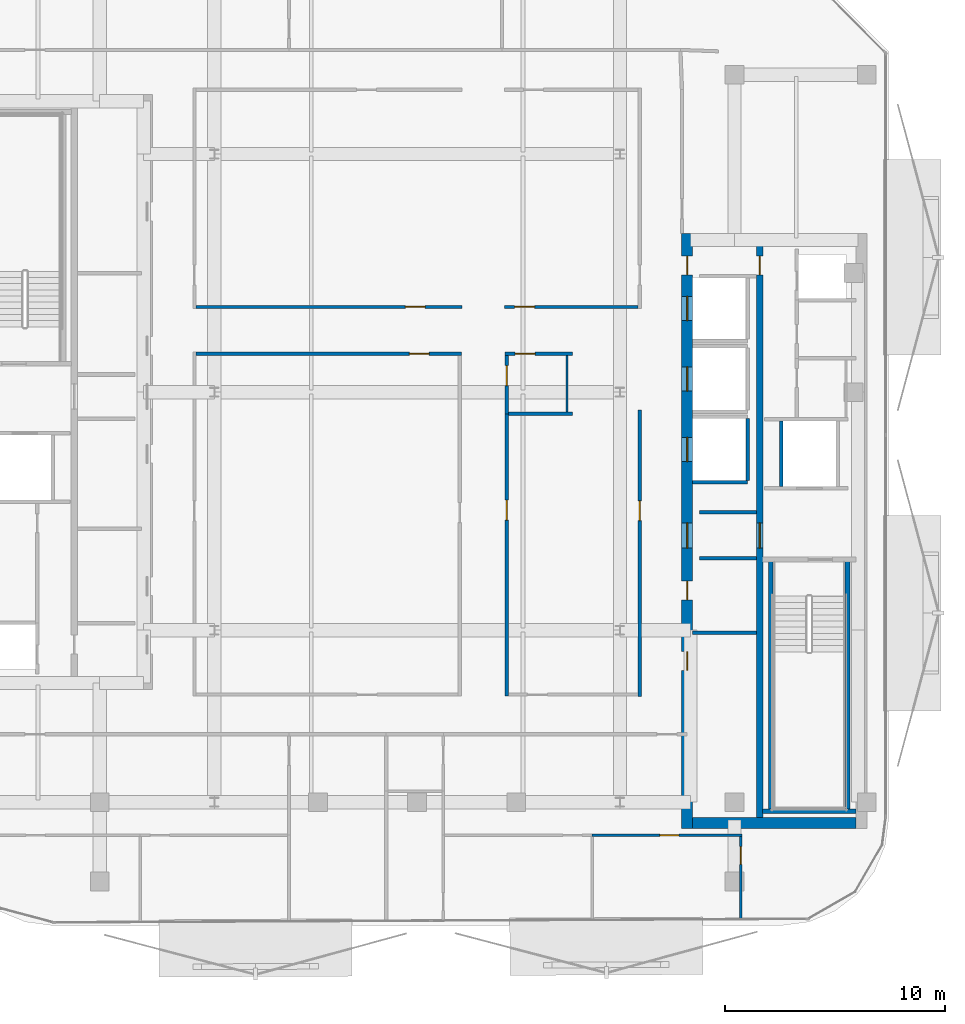
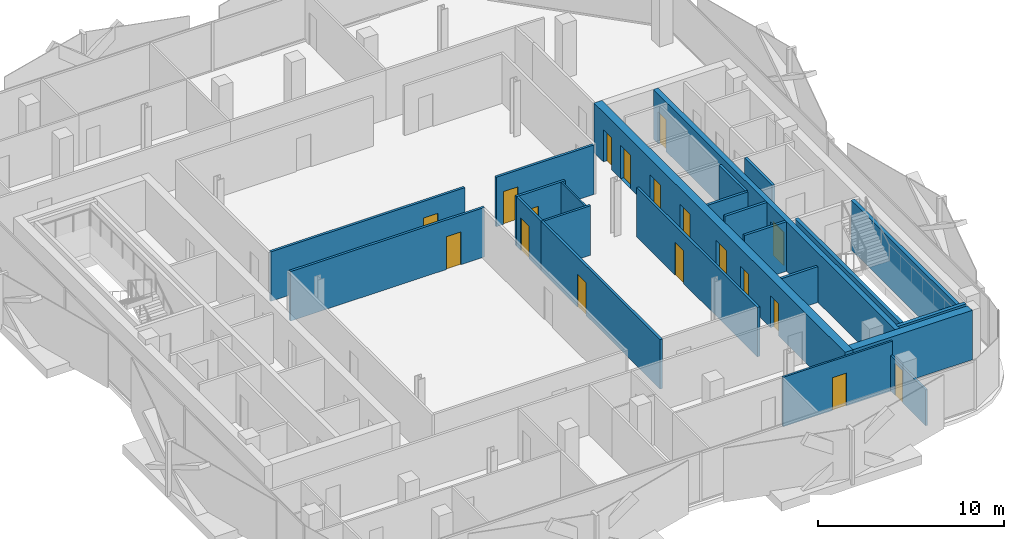
# One storey, part 4 of 15: 23 walls, 18 doors, 18 openings.
"""IFC4 building model written with IfcOpenShell, lengths in metres."""

from ifc_helpers import new_model, si_unit, direction, frame, frame_2d, origin, place, context, subcontext, project, spatial, rectangle, extrude, material, layer, layer_set, type_object, element, fill, save


model = new_model("IFC4")

# Units and contexts
model_context = context("Model", 3, precision=1e-05, world=origin(), true_north=direction((0.0, 1.0)))
body_context = subcontext(model_context, "Body", "Model", "MODEL_VIEW")
ifc_project = project(units=[si_unit("LENGTHUNIT", "METRE"), si_unit("AREAUNIT", "SQUARE_METRE"), si_unit("VOLUMEUNIT", "CUBIC_METRE"), si_unit("PLANEANGLEUNIT", "RADIAN"), si_unit("MASSUNIT", "GRAM", prefix="KILO")], contexts=[model_context])

# Site, building, storey
site_placement = place(None, origin())
site = spatial("IfcSite", under=ifc_project, at=site_placement, CompositionType="ELEMENT")
building_placement = place(site_placement, origin())
building = spatial("IfcBuilding", under=site, at=building_placement, Name="Khairoan Windgate Tower", CompositionType="ELEMENT")
storey_placement = place(building_placement, frame((0.0, 0.0, 269.199951171875)))
storey = spatial("IfcBuildingStorey", under=building, at=storey_placement, Name="L64", CompositionType="ELEMENT", Elevation=269.199951171875)

# Walls
ifc_material_1 = material(Name="Moisture-Resistant Gypsum Partition", Category="gypsum")
ifc_layer_1 = layer(ifc_material_1, 0.10009765625, Name="Moisture-Resistant Gypsum Partition")
ifc_layer_set_1 = layer_set([ifc_layer_1], Name="Moisture-Resistant Gypsum Partition")
wall_type_1 = type_object("IfcWallType", Name="Bathroom Wet-Area Partition Wall", PredefinedType="PARTITIONING", material=ifc_layer_set_1)
wall_1_placement = place(storey_placement, frame((6.800048828125, 1.659912109375, 0.0), z_axis=(0.0, 0.0, 1.0), x_axis=(0.0, -1.0, 0.0)))
element("IfcWall", 1, at=wall_1_placement, inside=storey, type_object=wall_type_1, Name="L64 Wet Room Side Wall 068", PredefinedType="PARTITIONING", context=body_context, shape_type="SweptSolid", body=[
    extrude(rectangle(XDim=2.56982421875, YDim=0.10009765625, at=frame_2d((1.284912109375, 0.0))), origin(), (0.0, 0.0, 1.0), 3.25),
])
ifc_material_2 = material(Name="Concrete C40/50", Category="concrete")
ifc_layer_2 = layer(ifc_material_2, 0.159912109375, Name="Concrete C40/50")
ifc_layer_set_2 = layer_set([ifc_layer_2], Name="Concrete C40/50")
wall_type_2 = type_object("IfcWallType", Name="Core and Hoistway Enclosure Wall", PredefinedType="STANDARD", material=ifc_layer_set_2)
wall_2_placement = place(storey_placement, frame((12.5, -4.090087890625, 0.0), z_axis=(0.0, 0.0, 1.0), x_axis=(1.0, 0.0, 0.0)))
element("IfcWall", 2, at=wall_2_placement, inside=storey, type_object=wall_type_2, Name="L64 Lift PL9 Hoistway Divider S", PredefinedType="STANDARD", context=body_context, shape_type="SweptSolid", body=[
    extrude(rectangle(XDim=2.489990234375, YDim=0.159912109375, at=frame_2d((1.2451171875, 0.0))), origin(), (0.0, 0.0, 1.0), 3.25),
])
wall_3_placement = place(storey_placement, frame((14.989990234375, -4.0, 0.0), z_axis=(0.0, 0.0, 1.0), x_axis=(0.0, 1.0, 0.0)))
element("IfcWall", 3, at=wall_3_placement, inside=storey, type_object=wall_type_2, Name="L64 Lift PL9 Hoistway Back Wall", PredefinedType="STANDARD", context=body_context, shape_type="SweptSolid", body=[
    extrude(rectangle(XDim=2.800048828125, YDim=0.159912109375, at=frame_2d((1.39990234375, 0.0))), origin(), (0.0, 0.0, 1.0), 3.25),
])
wall_4_placement = place(storey_placement, frame((16.52001953125, -4.280029296875, 0.0), z_axis=(0.0, 0.0, 1.0), x_axis=(0.0, 1.0, 0.0)))
element("IfcWall", 4, at=wall_4_placement, inside=storey, type_object=wall_type_2, Name="L64 Core Shaft Wall SW-FL1W-L64", PredefinedType="STANDARD", context=body_context, shape_type="SweptSolid", body=[
    extrude(rectangle(XDim=2.97998046875, YDim=0.159912109375, at=frame_2d((1.489990234375, 0.0))), origin(), (0.0, 0.0, 1.0), 3.25),
])
for number, where, z_axis, x_axis, name in (
    (5, (12.800048828125, -5.449951171875, 0.0), (0.0, 0.0, 1.0), (1.0, 0.0, 0.0), "L64 Core Shaft Wall SW-EV1-L64"),
    (6, (12.800048828125, -7.5400390625, 0.0), (0.0, 0.0, 1.0), (1.0, 0.0, 0.0), "L64 Core Shaft Wall SW-EV2-L64"),
):
    element("IfcWall", number, at=place(storey_placement, frame(where, z_axis=z_axis, x_axis=x_axis)), inside=storey, type_object=wall_type_2, Name=name, PredefinedType="STANDARD", context=body_context, shape_type="SweptSolid", body=[
        extrude(rectangle(XDim=2.599853515625, YDim=0.159912109375, at=frame_2d((1.2998046875, 0.0))), origin(), (0.0, 0.0, 1.0), 3.25),
    ])
ifc_material_3 = material(Name="Acoustic Fire-Rated Gypsum Partition", Category="gypsum")
ifc_layer_3 = layer(ifc_material_3, 0.139892578125, Name="Acoustic Fire-Rated Gypsum Partition")
ifc_layer_set_3 = layer_set([ifc_layer_3], Name="Acoustic Fire-Rated Gypsum Partition")
wall_type_3 = type_object("IfcWallType", Name="Inter-Tenancy Compartment Wall", PredefinedType="PARTITIONING", material=ifc_layer_set_3)
wall_5_placement = place(storey_placement, frame((4.139892578125, -0.97998046875, 0.0), z_axis=(0.0, 0.0, 1.0), x_axis=(1.0, 0.0, 0.0)))
element("IfcWall", 7, at=wall_5_placement, inside=storey, type_object=wall_type_3, Name="L64 Interior Partition 066", PredefinedType="PARTITIONING", context=body_context, shape_type="SweptSolid", body=[
    extrude(rectangle(XDim=2.900146484375, YDim=0.139892578125, at=frame_2d((1.4501953125, 0.0))), origin(), (0.0, 0.0, 1.0), 3.25),
])

# Wall, opening, door
ifc_material_4 = material(Name="Gypsum Stud Partition", Category="gypsum")
ifc_layer_4 = layer(ifc_material_4, 0.1201171875, Name="Gypsum Stud Partition")
ifc_layer_set_4 = layer_set([ifc_layer_4], Name="Gypsum Stud Partition")
wall_type_4 = type_object("IfcWallType", Name="Internal Room Partition Wall", PredefinedType="PARTITIONING", material=ifc_layer_set_4)
wall_6_placement = place(storey_placement, frame((7.93994140625, -20.10009765625, 0.0), z_axis=(0.0, 0.0, 1.0), x_axis=(1.0, 0.0, 0.0)))
wall_6 = element("IfcWall", 8, at=wall_6_placement, inside=storey, type_object=wall_type_4, Name="L64 Interior Partition 063", PredefinedType="PARTITIONING", context=body_context, shape_type="SweptSolid", body=[
    extrude(rectangle(XDim=6.81005859375, YDim=0.1201171875, at=frame_2d((3.405029296875, 0.0))), origin(), (0.0, 0.0, 1.0), 3.25),
])
opening_1_placement = place(wall_6_placement, frame((3.07568359375, 0.0, 0.0)))
opening_1 = element("IfcOpeningElement", 9, at=opening_1_placement, cuts=wall_6, Name="Opening ID-RM", PredefinedType="OPENING", context=body_context, shape_type="SweptSolid", body=[
    extrude(rectangle(XDim=0.860107421875, YDim=2.14990234375, at=frame_2d((0.43017578125, 1.074951171875))), frame((0.0, 0.070068359375, 0.0), z_axis=(0.0, -1.0, 0.0), x_axis=(1.0, 0.0, 0.0)), (0.0, 0.0, 1.0), 0.14013671875),
])
ifc_material_5 = material(Name="Teak Veneer Timber Leaf", Category="wood")
door_type_1 = type_object("IfcDoorType", Name="Internal Bedroom and Office Door ID-RM 860x2150", OperationType="NOTDEFINED", PredefinedType="DOOR", material=ifc_material_5)
door_1_placement = place(opening_1_placement, origin())
door_1 = element("IfcDoor", 10, at=door_1_placement, inside=storey, type_object=door_type_1, Name="L64 L64-48-L64-51 Door", OperationType="SINGLE_SWING_RIGHT", OverallHeight=2.14990234375, OverallWidth=0.860107421875, PredefinedType="DOOR", context=body_context, shape_type="SweptSolid", body=[
    extrude(rectangle(XDim=0.860107421875, YDim=2.14990234375, at=frame_2d((0.43017578125, 1.074951171875))), frame((0.0, 0.02490234375, 0.0), z_axis=(0.0, -1.0, 0.0), x_axis=(1.0, 0.0, 0.0)), (0.0, 0.0, 1.0), 0.050048828125),
])
fill(opening_1, door_1)

wall_7_placement = place(storey_placement, frame((14.68994140625, -23.906005859375, 0.0), z_axis=(0.0, 0.0, 1.0), x_axis=(0.0, 1.0, 0.0)))
wall_7 = element("IfcWall", 11, at=wall_7_placement, inside=storey, type_object=wall_type_4, Name="L64 Interior Partition 064", PredefinedType="PARTITIONING", context=body_context, shape_type="SweptSolid", body=[
    extrude(rectangle(XDim=3.74609375, YDim=0.1201171875, at=frame_2d((1.873046875, 0.0))), origin(), (0.0, 0.0, 1.0), 2.35009765625),
])
opening_2_placement = place(wall_7_placement, frame((2.486083984375, 0.0, 0.0)))
opening_2 = element("IfcOpeningElement", 12, at=opening_2_placement, cuts=wall_7, Name="Opening ID-BTH", PredefinedType="OPENING", context=body_context, shape_type="SweptSolid", body=[
    extrude(rectangle(XDim=0.800048828125, YDim=2.10009765625, at=frame_2d((0.39990234375, 1.050048828125))), frame((0.0, 0.070068359375, 0.0), z_axis=(0.0, -1.0, 0.0), x_axis=(1.0, 0.0, 0.0)), (0.0, 0.0, 1.0), 0.14013671875),
])
ifc_material_6 = material(Name="Teak Veneer Timber Leaf", Category="wood")
door_type_2 = type_object("IfcDoorType", Name="Internal Bathroom Door ID-BTH 800x2100", OperationType="NOTDEFINED", PredefinedType="DOOR", material=ifc_material_6)
door_2_placement = place(opening_2_placement, origin())
door_2 = element("IfcDoor", 13, at=door_2_placement, inside=storey, type_object=door_type_2, Name="L64 L64-49-L64-51 Door", OperationType="SINGLE_SWING_LEFT", OverallHeight=2.10009765625, OverallWidth=0.800048828125, PredefinedType="DOOR", context=body_context, shape_type="SweptSolid", body=[
    extrude(rectangle(XDim=0.800048828125, YDim=2.10009765625, at=frame_2d((0.39990234375, 1.050048828125))), frame((0.0, 0.02490234375, 0.0), z_axis=(0.0, -1.0, 0.0), x_axis=(1.0, 0.0, 0.0)), (0.0, 0.0, 1.0), 0.050048828125),
])
fill(opening_2, door_2)

# Wall
ifc_material_7 = material(Name="Concrete C40/50", Category="concrete")
ifc_layer_5 = layer(ifc_material_7, 0.159912109375, Name="Concrete C40/50")
ifc_layer_set_5 = layer_set([ifc_layer_5], Name="Concrete C40/50")
wall_type_5 = type_object("IfcWallType", Name="Plant and Refuge Compartment Wall", PredefinedType="PARTITIONING", material=ifc_layer_set_5)
wall_8_placement = place(storey_placement, frame((12.5, -10.919921875, 0.0), z_axis=(0.0, 0.0, 1.0), x_axis=(1.0, 0.0, 0.0)))
element("IfcWall", 14, at=wall_8_placement, inside=storey, type_object=wall_type_5, Name="L64 Interior Partition 011", PredefinedType="PARTITIONING", context=body_context, shape_type="SweptSolid", body=[
    extrude(rectangle(XDim=2.89990234375, YDim=0.159912109375, at=frame_2d((1.449951171875, 0.0))), origin(), (0.0, 0.0, 1.0), 2.35009765625),
])

# Wall, opening, door
ifc_material_8 = material(Name="Acoustic Fire-Rated Gypsum Partition", Category="gypsum")
ifc_layer_6 = layer(ifc_material_8, 0.14990234375, Name="Acoustic Fire-Rated Gypsum Partition")
ifc_layer_set_6 = layer_set([ifc_layer_6], Name="Acoustic Fire-Rated Gypsum Partition")
wall_type_6 = type_object("IfcWallType", Name="Rated Corridor Partition Wall", PredefinedType="PARTITIONING", material=ifc_layer_set_6)
wall_9_placement = place(storey_placement, frame((10.10009765625, -13.794921875, 0.0), z_axis=(0.0, 0.0, 1.0), x_axis=(0.0, 1.0, 0.0)))
wall_9 = element("IfcWall", 15, at=wall_9_placement, inside=storey, type_object=wall_type_6, Name="L64 Interior Partition 016", PredefinedType="PARTITIONING", context=body_context, shape_type="SweptSolid", body=[
    extrude(rectangle(XDim=12.974853515625, YDim=0.14990234375, at=frame_2d((6.4873046875, 0.0))), origin(), (0.0, 0.0, 1.0), 3.25),
])
opening_3_placement = place(wall_9_placement, frame((7.96435546875, 0.0, 0.0)))
opening_3 = element("IfcOpeningElement", 16, at=opening_3_placement, cuts=wall_9, Name="Opening FD-ENT", PredefinedType="OPENING", context=body_context, shape_type="SweptSolid", body=[
    extrude(rectangle(XDim=0.89990234375, YDim=2.14990234375, at=frame_2d((0.449951171875, 1.074951171875))), frame((0.0, 0.0849609375, 0.0), z_axis=(0.0, -1.0, 0.0), x_axis=(1.0, 0.0, 0.0)), (0.0, 0.0, 1.0), 0.169921875),
])
ifc_material_9 = material(Name="Timber Fire-Rated Core", Category="wood")
door_type_3 = type_object("IfcDoorType", Name="Unit and Office Fire Entrance Door FD-ENT 900x2150", OperationType="NOTDEFINED", PredefinedType="DOOR", material=ifc_material_9)
door_3_placement = place(opening_3_placement, origin())
door_3 = element("IfcDoor", 17, at=door_3_placement, inside=storey, type_object=door_type_3, Name="L64 L64-28-L64-57 Door", OperationType="SINGLE_SWING_LEFT", OverallHeight=2.14990234375, OverallWidth=0.89990234375, PredefinedType="DOOR", context=body_context, shape_type="SweptSolid", body=[
    extrude(rectangle(XDim=0.89990234375, YDim=2.14990234375, at=frame_2d((0.449951171875, 1.074951171875))), frame((0.0, 0.02490234375, 0.0), z_axis=(0.0, -1.0, 0.0), x_axis=(1.0, 0.0, 0.0)), (0.0, 0.0, 1.0), 0.050048828125),
])
fill(opening_3, door_3)

wall_10_placement = place(storey_placement, frame((-10.02490234375, 3.864990234375, 0.0), z_axis=(0.0, 0.0, 1.0), x_axis=(1.0, 0.0, 0.0)))
wall_10 = element("IfcWall", 18, at=wall_10_placement, inside=storey, type_object=wall_type_6, Name="L64 Interior Partition 017", PredefinedType="PARTITIONING", context=body_context, shape_type="SweptSolid", body=[
    extrude(rectangle(XDim=12.054931640625, YDim=0.14990234375, at=frame_2d((6.02734375, 0.0))), origin(), (0.0, 0.0, 1.0), 3.25),
])
opening_4_placement = place(wall_10_placement, frame((9.490966796875, 0.0, 0.0)))
opening_4 = element("IfcOpeningElement", 19, at=opening_4_placement, cuts=wall_10, Name="Opening FD-ENT", PredefinedType="OPENING", context=body_context, shape_type="SweptSolid", body=[
    extrude(rectangle(XDim=0.89990234375, YDim=2.14990234375, at=frame_2d((0.449951171875, 1.074951171875))), frame((0.0, 0.0849609375, 0.0), z_axis=(0.0, -1.0, 0.0), x_axis=(1.0, 0.0, 0.0)), (0.0, 0.0, 1.0), 0.169921875),
])
door_4_placement = place(opening_4_placement, origin())
door_4 = element("IfcDoor", 20, at=door_4_placement, inside=storey, type_object=door_type_3, Name="L64 L64-29-L64-53 Door", OperationType="SINGLE_SWING_RIGHT", OverallHeight=2.14990234375, OverallWidth=0.89990234375, PredefinedType="DOOR", context=body_context, shape_type="SweptSolid", body=[
    extrude(rectangle(XDim=0.89990234375, YDim=2.14990234375, at=frame_2d((0.449951171875, 1.074951171875))), frame((0.0, 0.02490234375, 0.0), z_axis=(0.0, -1.0, 0.0), x_axis=(1.0, 0.0, 0.0)), (0.0, 0.0, 1.0), 0.050048828125),
])
fill(opening_4, door_4)

wall_11_placement = place(storey_placement, frame((-10.02490234375, 1.735107421875, 0.0), z_axis=(0.0, 0.0, 1.0), x_axis=(1.0, 0.0, 0.0)))
wall_11 = element("IfcWall", 21, at=wall_11_placement, inside=storey, type_object=wall_type_6, Name="L64 Interior Partition 018", PredefinedType="PARTITIONING", context=body_context, shape_type="SweptSolid", body=[
    extrude(rectangle(XDim=12.034912109375, YDim=0.14990234375, at=frame_2d((6.017578125, 0.0))), origin(), (0.0, 0.0, 1.0), 3.25),
])
opening_5_placement = place(wall_11_placement, frame((9.673583984375, 0.0, 0.0)))
opening_5 = element("IfcOpeningElement", 22, at=opening_5_placement, cuts=wall_11, Name="Opening FD-ENT", PredefinedType="OPENING", context=body_context, shape_type="SweptSolid", body=[
    extrude(rectangle(XDim=0.89990234375, YDim=2.14990234375, at=frame_2d((0.449951171875, 1.074951171875))), frame((0.0, 0.0849609375, 0.0), z_axis=(0.0, -1.0, 0.0), x_axis=(1.0, 0.0, 0.0)), (0.0, 0.0, 1.0), 0.169921875),
])
door_5_placement = place(opening_5_placement, origin())
door_5 = element("IfcDoor", 23, at=door_5_placement, inside=storey, type_object=door_type_3, Name="L64 L64-29-L64-54 Door", OperationType="SINGLE_SWING_LEFT", OverallHeight=2.14990234375, OverallWidth=0.89990234375, PredefinedType="DOOR", context=body_context, shape_type="SweptSolid", body=[
    extrude(rectangle(XDim=0.89990234375, YDim=2.14990234375, at=frame_2d((0.449951171875, 1.074951171875))), frame((0.0, 0.02490234375, 0.0), z_axis=(0.0, -1.0, 0.0), x_axis=(1.0, 0.0, 0.0)), (0.0, 0.0, 1.0), 0.050048828125),
])
fill(opening_5, door_5)

wall_12_placement = place(storey_placement, frame((3.969970703125, 3.864990234375, 0.0), z_axis=(0.0, 0.0, 1.0), x_axis=(1.0, 0.0, 0.0)))
wall_12 = element("IfcWall", 24, at=wall_12_placement, inside=storey, type_object=wall_type_6, Name="L64 Interior Partition 019", PredefinedType="PARTITIONING", context=body_context, shape_type="SweptSolid", body=[
    extrude(rectangle(XDim=6.054931640625, YDim=0.14990234375, at=frame_2d((3.02734375, 0.0))), origin(), (0.0, 0.0, 1.0), 3.25),
])
opening_6_placement = place(wall_12_placement, frame((0.4599609375, 0.0, 0.0)))
opening_6 = element("IfcOpeningElement", 25, at=opening_6_placement, cuts=wall_12, Name="Opening FD-ENT", PredefinedType="OPENING", context=body_context, shape_type="SweptSolid", body=[
    extrude(rectangle(XDim=0.89990234375, YDim=2.14990234375, at=frame_2d((0.449951171875, 1.074951171875))), frame((0.0, 0.0849609375, 0.0), z_axis=(0.0, -1.0, 0.0), x_axis=(1.0, 0.0, 0.0)), (0.0, 0.0, 1.0), 0.169921875),
])
door_6_placement = place(opening_6_placement, origin())
door_6 = element("IfcDoor", 26, at=door_6_placement, inside=storey, type_object=door_type_3, Name="L64 L64-29-L64-55 Door", OperationType="SINGLE_SWING_RIGHT", OverallHeight=2.14990234375, OverallWidth=0.89990234375, PredefinedType="DOOR", context=body_context, shape_type="SweptSolid", body=[
    extrude(rectangle(XDim=0.89990234375, YDim=2.14990234375, at=frame_2d((0.449951171875, 1.074951171875))), frame((0.0, 0.02490234375, 0.0), z_axis=(0.0, -1.0, 0.0), x_axis=(1.0, 0.0, 0.0)), (0.0, 0.0, 1.0), 0.050048828125),
])
fill(opening_6, door_6)

wall_13_placement = place(storey_placement, frame((3.989990234375, 1.735107421875, 0.0), z_axis=(0.0, 0.0, 1.0), x_axis=(1.0, 0.0, 0.0)))
wall_13 = element("IfcWall", 27, at=wall_13_placement, inside=storey, type_object=wall_type_6, Name="L64 Interior Partition 020", PredefinedType="PARTITIONING", context=body_context, shape_type="SweptSolid", body=[
    extrude(rectangle(XDim=3.050048828125, YDim=0.14990234375, at=frame_2d((1.52490234375, 0.0))), origin(), (0.0, 0.0, 1.0), 3.25),
])
opening_7_placement = place(wall_13_placement, frame((0.4599609375, 0.0, 0.0)))
opening_7 = element("IfcOpeningElement", 28, at=opening_7_placement, cuts=wall_13, Name="Opening FD-ENT", PredefinedType="OPENING", context=body_context, shape_type="SweptSolid", body=[
    extrude(rectangle(XDim=0.89990234375, YDim=2.14990234375, at=frame_2d((0.449951171875, 1.074951171875))), frame((0.0, 0.0849609375, 0.0), z_axis=(0.0, -1.0, 0.0), x_axis=(1.0, 0.0, 0.0)), (0.0, 0.0, 1.0), 0.169921875),
])
door_7_placement = place(opening_7_placement, origin())
door_7 = element("IfcDoor", 29, at=door_7_placement, inside=storey, type_object=door_type_3, Name="L64 L64-29-L64-56 Door", OperationType="SINGLE_SWING_LEFT", OverallHeight=2.14990234375, OverallWidth=0.89990234375, PredefinedType="DOOR", context=body_context, shape_type="SweptSolid", body=[
    extrude(rectangle(XDim=0.89990234375, YDim=2.14990234375, at=frame_2d((0.449951171875, 1.074951171875))), frame((0.0, 0.02490234375, 0.0), z_axis=(0.0, -1.0, 0.0), x_axis=(1.0, 0.0, 0.0)), (0.0, 0.0, 1.0), 0.050048828125),
])
fill(opening_7, door_7)

wall_14_placement = place(storey_placement, frame((4.06494140625, -0.97998046875, 0.0), z_axis=(0.0, 0.0, 1.0), x_axis=(0.0, 1.0, 0.0)))
wall_14 = element("IfcWall", 30, at=wall_14_placement, inside=storey, type_object=wall_type_6, Name="L64 Interior Partition 022", PredefinedType="PARTITIONING", context=body_context, shape_type="SweptSolid", body=[
    extrude(rectangle(XDim=2.639892578125, YDim=0.14990234375, at=frame_2d((1.31982421875, 0.0))), origin(), (0.0, 0.0, 1.0), 3.25),
])
opening_8_placement = place(wall_14_placement, frame((1.280029296875, 0.0, 0.0)))
opening_8 = element("IfcOpeningElement", 31, at=opening_8_placement, cuts=wall_14, Name="Opening FD-ENT", PredefinedType="OPENING", context=body_context, shape_type="SweptSolid", body=[
    extrude(rectangle(XDim=0.89990234375, YDim=2.14990234375, at=frame_2d((0.449951171875, 1.074951171875))), frame((0.0, 0.0849609375, 0.0), z_axis=(0.0, -1.0, 0.0), x_axis=(1.0, 0.0, 0.0)), (0.0, 0.0, 1.0), 0.169921875),
])
door_8_placement = place(opening_8_placement, origin())
door_8 = element("IfcDoor", 32, at=door_8_placement, inside=storey, type_object=door_type_3, Name="L64 L64-30-L64-56 Door", OperationType="SINGLE_SWING_LEFT", OverallHeight=2.14990234375, OverallWidth=0.89990234375, PredefinedType="DOOR", context=body_context, shape_type="SweptSolid", body=[
    extrude(rectangle(XDim=0.89990234375, YDim=2.14990234375, at=frame_2d((0.449951171875, 1.074951171875))), frame((0.0, 0.02490234375, 0.0), z_axis=(0.0, -1.0, 0.0), x_axis=(1.0, 0.0, 0.0)), (0.0, 0.0, 1.0), 0.050048828125),
])
fill(opening_8, door_8)

wall_15_placement = place(storey_placement, frame((4.06494140625, -13.794921875, 0.0), z_axis=(0.0, 0.0, 1.0), x_axis=(0.0, 1.0, 0.0)))
wall_15 = element("IfcWall", 33, at=wall_15_placement, inside=storey, type_object=wall_type_6, Name="L64 Interior Partition 023", PredefinedType="PARTITIONING", context=body_context, shape_type="SweptSolid", body=[
    extrude(rectangle(XDim=12.81494140625, YDim=0.14990234375, at=frame_2d((6.407470703125, 0.0))), origin(), (0.0, 0.0, 1.0), 3.25),
])
opening_9_placement = place(wall_15_placement, frame((7.99365234375, 0.0, 0.0)))
opening_9 = element("IfcOpeningElement", 34, at=opening_9_placement, cuts=wall_15, Name="Opening FD-ENT", PredefinedType="OPENING", context=body_context, shape_type="SweptSolid", body=[
    extrude(rectangle(XDim=0.89990234375, YDim=2.14990234375, at=frame_2d((0.449951171875, 1.074951171875))), frame((0.0, 0.0849609375, 0.0), z_axis=(0.0, -1.0, 0.0), x_axis=(1.0, 0.0, 0.0)), (0.0, 0.0, 1.0), 0.169921875),
])
door_9_placement = place(opening_9_placement, origin())
door_9 = element("IfcDoor", 35, at=door_9_placement, inside=storey, type_object=door_type_3, Name="L64 L64-30-L64-57 Door", OperationType="SINGLE_SWING_RIGHT", OverallHeight=2.14990234375, OverallWidth=0.89990234375, PredefinedType="DOOR", context=body_context, shape_type="SweptSolid", body=[
    extrude(rectangle(XDim=0.89990234375, YDim=2.14990234375, at=frame_2d((0.449951171875, 1.074951171875))), frame((0.0, 0.02490234375, 0.0), z_axis=(0.0, -1.0, 0.0), x_axis=(1.0, 0.0, 0.0)), (0.0, 0.0, 1.0), 0.050048828125),
])
fill(opening_9, door_9)

# Wall, openings, doors
ifc_material_10 = material(Name="Concrete C50/60", Category="concrete")
ifc_layer_7 = layer(ifc_material_10, 0.5, Name="Concrete C50/60")
ifc_layer_set_7 = layer_set([ifc_layer_7], Name="Concrete C50/60")
wall_type_7 = type_object("IfcWallType", Name="Shear Wall CW-E3 500mm", PredefinedType="SHEAR", material=ifc_layer_set_7)
wall_16_placement = place(storey_placement, frame((12.25, -19.800048828125, 0.0), z_axis=(0.0, 0.0, 1.0), x_axis=(0.0, 1.0, 0.0)))
wall_16 = element("IfcWall", 36, at=wall_16_placement, inside=storey, type_object=wall_type_7, Name="E Core West Shear Wall L64", PredefinedType="SHEAR", context=body_context, shape_type="SweptSolid", body=[
    extrude(rectangle(XDim=27.0, YDim=0.5, at=frame_2d((13.5, 0.0))), origin(), (0.0, 0.0, 1.0), 3.25),
])
opening_10_placement = place(wall_16_placement, frame((23.050048828125, 0.0, 0.0)))
opening_10 = element("IfcOpeningElement", 37, at=opening_10_placement, cuts=wall_16, Name="Opening LD-PL", PredefinedType="OPENING", context=body_context, shape_type="SweptSolid", body=[
    extrude(rectangle(XDim=1.10009765625, YDim=2.199951171875, at=frame_2d((0.550048828125, 1.10009765625))), frame((0.0, 0.260009765625, 0.0), z_axis=(0.0, -1.0, 0.0), x_axis=(1.0, 0.0, 0.0)), (0.0, 0.0, 1.0), 0.52001953125),
])
opening_11_placement = place(wall_16_placement, frame((19.85009765625, 0.0, 0.0)))
opening_11 = element("IfcOpeningElement", 38, at=opening_11_placement, cuts=wall_16, Name="Opening LD-PL", PredefinedType="OPENING", context=body_context, shape_type="SweptSolid", body=[
    extrude(rectangle(XDim=1.10009765625, YDim=2.199951171875, at=frame_2d((0.550048828125, 1.10009765625))), frame((0.0, 0.260009765625, 0.0), z_axis=(0.0, -1.0, 0.0), x_axis=(1.0, 0.0, 0.0)), (0.0, 0.0, 1.0), 0.52001953125),
])
opening_12_placement = place(wall_16_placement, frame((16.64990234375, 0.0, 0.0)))
opening_12 = element("IfcOpeningElement", 39, at=opening_12_placement, cuts=wall_16, Name="Opening LD-PL", PredefinedType="OPENING", context=body_context, shape_type="SweptSolid", body=[
    extrude(rectangle(XDim=1.10009765625, YDim=2.199951171875, at=frame_2d((0.550048828125, 1.10009765625))), frame((0.0, 0.260009765625, 0.0), z_axis=(0.0, -1.0, 0.0), x_axis=(1.0, 0.0, 0.0)), (0.0, 0.0, 1.0), 0.52001953125),
])
opening_13_placement = place(wall_16_placement, frame((7.175048828125, 0.0, 0.0)))
opening_13 = element("IfcOpeningElement", 40, at=opening_13_placement, cuts=wall_16, Name="Opening FD-SRV", PredefinedType="OPENING", context=body_context, shape_type="SweptSolid", body=[
    extrude(rectangle(XDim=0.85009765625, YDim=2.10009765625, at=frame_2d((0.425048828125, 1.050048828125))), frame((0.0, 0.260009765625, 0.0), z_axis=(0.0, -1.0, 0.0), x_axis=(1.0, 0.0, 0.0)), (0.0, 0.0, 1.0), 0.52001953125),
])
opening_14_placement = place(wall_16_placement, frame((10.375, 0.0, 0.0)))
opening_14 = element("IfcOpeningElement", 41, at=opening_14_placement, cuts=wall_16, Name="Opening FD-SRV", PredefinedType="OPENING", context=body_context, shape_type="SweptSolid", body=[
    extrude(rectangle(XDim=0.85009765625, YDim=2.10009765625, at=frame_2d((0.425048828125, 1.050048828125))), frame((0.0, 0.260009765625, 0.0), z_axis=(0.0, -1.0, 0.0), x_axis=(1.0, 0.0, 0.0)), (0.0, 0.0, 1.0), 0.52001953125),
])
opening_15_placement = place(wall_16_placement, frame((12.72509765625, 0.0, 0.0)))
opening_15 = element("IfcOpeningElement", 42, at=opening_15_placement, cuts=wall_16, Name="Opening FD-FFL", PredefinedType="OPENING", context=body_context, shape_type="SweptSolid", body=[
    extrude(rectangle(XDim=1.14990234375, YDim=2.199951171875, at=frame_2d((0.574951171875, 1.10009765625))), frame((0.0, 0.260009765625, 0.0), z_axis=(0.0, -1.0, 0.0), x_axis=(1.0, 0.0, 0.0)), (0.0, 0.0, 1.0), 0.52001953125),
])
opening_16_placement = place(wall_16_placement, frame((25.125, 0.0, 0.0)))
opening_16 = element("IfcOpeningElement", 43, at=opening_16_placement, cuts=wall_16, Name="Opening FD-SRV", PredefinedType="OPENING", context=body_context, shape_type="SweptSolid", body=[
    extrude(rectangle(XDim=0.85009765625, YDim=2.10009765625, at=frame_2d((0.425048828125, 1.050048828125))), frame((0.0, 0.260009765625, 0.0), z_axis=(0.0, -1.0, 0.0), x_axis=(1.0, 0.0, 0.0)), (0.0, 0.0, 1.0), 0.52001953125),
])
ifc_material_11 = material(Name="Steel S355", Category="steel")
door_type_4 = type_object("IfcDoorType", Name="Core Service and Riser Fire Door FD-SRV 850x2100", OperationType="NOTDEFINED", PredefinedType="DOOR", material=ifc_material_11)
door_10_placement = place(opening_13_placement, origin())
door_10 = element("IfcDoor", 44, at=door_10_placement, inside=storey, type_object=door_type_4, Name="L64 East Core Service Room Door 1", OperationType="SINGLE_SWING_RIGHT", OverallHeight=2.10009765625, OverallWidth=0.85009765625, PredefinedType="DOOR", context=body_context, shape_type="SweptSolid", body=[
    extrude(rectangle(XDim=0.85009765625, YDim=2.10009765625, at=frame_2d((0.425048828125, 1.050048828125))), frame((0.0, 0.02490234375, 0.0), z_axis=(0.0, -1.0, 0.0), x_axis=(1.0, 0.0, 0.0)), (0.0, 0.0, 1.0), 0.050048828125),
])
fill(opening_13, door_10)
door_11_placement = place(opening_14_placement, origin())
door_11 = element("IfcDoor", 45, at=door_11_placement, inside=storey, type_object=door_type_4, Name="L64 East Core Service Room Door 2", OperationType="SINGLE_SWING_LEFT", OverallHeight=2.10009765625, OverallWidth=0.85009765625, PredefinedType="DOOR", context=body_context, shape_type="SweptSolid", body=[
    extrude(rectangle(XDim=0.85009765625, YDim=2.10009765625, at=frame_2d((0.425048828125, 1.050048828125))), frame((0.0, 0.02490234375, 0.0), z_axis=(0.0, -1.0, 0.0), x_axis=(1.0, 0.0, 0.0)), (0.0, 0.0, 1.0), 0.050048828125),
])
fill(opening_14, door_11)
door_12_placement = place(opening_16_placement, origin())
door_12 = element("IfcDoor", 46, at=door_12_placement, inside=storey, type_object=door_type_4, Name="L64 East Core Service Vestibule Outer Door", OperationType="SINGLE_SWING_RIGHT", OverallHeight=2.10009765625, OverallWidth=0.85009765625, PredefinedType="DOOR", context=body_context, shape_type="SweptSolid", body=[
    extrude(rectangle(XDim=0.85009765625, YDim=2.10009765625, at=frame_2d((0.425048828125, 1.050048828125))), frame((0.0, 0.02490234375, 0.0), z_axis=(0.0, -1.0, 0.0), x_axis=(1.0, 0.0, 0.0)), (0.0, 0.0, 1.0), 0.050048828125),
])
fill(opening_16, door_12)
ifc_material_12 = material(Name="Steel S355", Category="steel")
door_type_5 = type_object("IfcDoorType", Name="Firefighting Lobby Fire Door FD-FFL 1150x2200", OperationType="NOTDEFINED", PredefinedType="DOOR", material=ifc_material_12)
door_13_placement = place(opening_15_placement, origin())
door_13 = element("IfcDoor", 47, at=door_13_placement, inside=storey, type_object=door_type_5, Name="L64 East Core Vestibule Entry Door", OperationType="SINGLE_SWING_RIGHT", OverallHeight=2.199951171875, OverallWidth=1.14990234375, PredefinedType="DOOR", context=body_context, shape_type="SweptSolid", body=[
    extrude(rectangle(XDim=1.14990234375, YDim=2.199951171875, at=frame_2d((0.574951171875, 1.10009765625))), frame((0.0, 0.02490234375, 0.0), z_axis=(0.0, -1.0, 0.0), x_axis=(1.0, 0.0, 0.0)), (0.0, 0.0, 1.0), 0.050048828125),
])
fill(opening_15, door_13)
ifc_material_13 = material(Name="Anodised Bronze Aluminium 6063-T6", Category="aluminium")
door_type_6 = type_object("IfcDoorType", Name="Passenger Lift Sliding Landing Door LD-PL 1100x2200", OperationType="DOUBLE_DOOR_SLIDING", PredefinedType="DOOR", material=ifc_material_13)
door_14_placement = place(opening_10_placement, origin())
door_14 = element("IfcDoor", 48, at=door_14_placement, inside=storey, type_object=door_type_6, Name="L64 Lift PL7 Sliding Landing Door", OperationType="DOUBLE_DOOR_SLIDING", OverallHeight=2.199951171875, OverallWidth=1.10009765625, PredefinedType="DOOR", context=body_context, shape_type="SweptSolid", body=[
    extrude(rectangle(XDim=1.10009765625, YDim=2.199951171875, at=frame_2d((0.550048828125, 1.10009765625))), frame((0.0, 0.02490234375, 0.0), z_axis=(0.0, -1.0, 0.0), x_axis=(1.0, 0.0, 0.0)), (0.0, 0.0, 1.0), 0.050048828125),
])
fill(opening_10, door_14)
door_15_placement = place(opening_11_placement, origin())
door_15 = element("IfcDoor", 49, at=door_15_placement, inside=storey, type_object=door_type_6, Name="L64 Lift PL8 Sliding Landing Door", OperationType="DOUBLE_DOOR_SLIDING", OverallHeight=2.199951171875, OverallWidth=1.10009765625, PredefinedType="DOOR", context=body_context, shape_type="SweptSolid", body=[
    extrude(rectangle(XDim=1.10009765625, YDim=2.199951171875, at=frame_2d((0.550048828125, 1.10009765625))), frame((0.0, 0.02490234375, 0.0), z_axis=(0.0, -1.0, 0.0), x_axis=(1.0, 0.0, 0.0)), (0.0, 0.0, 1.0), 0.050048828125),
])
fill(opening_11, door_15)
door_16_placement = place(opening_12_placement, origin())
door_16 = element("IfcDoor", 50, at=door_16_placement, inside=storey, type_object=door_type_6, Name="L64 Lift PL9 Sliding Landing Door", OperationType="DOUBLE_DOOR_SLIDING", OverallHeight=2.199951171875, OverallWidth=1.10009765625, PredefinedType="DOOR", context=body_context, shape_type="SweptSolid", body=[
    extrude(rectangle(XDim=1.10009765625, YDim=2.199951171875, at=frame_2d((0.550048828125, 1.10009765625))), frame((0.0, 0.02490234375, 0.0), z_axis=(0.0, -1.0, 0.0), x_axis=(1.0, 0.0, 0.0)), (0.0, 0.0, 1.0), 0.050048828125),
])
fill(opening_12, door_16)

# Wall
wall_17_placement = place(storey_placement, frame((12.5, -19.550048828125, 0.0), z_axis=(0.0, 0.0, 1.0), x_axis=(1.0, 0.0, 0.0)))
element("IfcWall", 51, at=wall_17_placement, inside=storey, type_object=wall_type_7, Name="E Core South Shear Wall L64", PredefinedType="SHEAR", context=body_context, shape_type="SweptSolid", body=[
    extrude(rectangle(XDim=7.39990234375, YDim=0.5, at=frame_2d((3.699951171875, 0.0))), origin(), (0.0, 0.0, 1.0), 3.25),
])

# Wall, openings, doors
ifc_material_14 = material(Name="Concrete C50/60", Category="concrete")
ifc_layer_8 = layer(ifc_material_14, 0.300048828125, Name="Concrete C50/60")
ifc_layer_set_8 = layer_set([ifc_layer_8], Name="Concrete C50/60")
wall_type_8 = type_object("IfcWallType", Name="Shear Wall SW-2 300mm", PredefinedType="SHEAR", material=ifc_layer_set_8)
wall_18_placement = place(storey_placement, frame((15.550048828125, -19.300048828125, 0.0), z_axis=(0.0, 0.0, 1.0), x_axis=(0.0, 1.0, 0.0)))
wall_18 = element("IfcWall", 52, at=wall_18_placement, inside=storey, type_object=wall_type_8, Name="E Core Spine Shear Wall L64", PredefinedType="SHEAR", context=body_context, shape_type="SweptSolid", body=[
    extrude(rectangle(XDim=26.0, YDim=0.300048828125, at=frame_2d((13.0, 0.0))), origin(), (0.0, 0.0, 1.0), 3.25),
])
opening_17_placement = place(wall_18_placement, frame((12.22509765625, 0.0, 0.0)))
opening_17 = element("IfcOpeningElement", 53, at=opening_17_placement, cuts=wall_18, Name="Opening FD-FFL", PredefinedType="OPENING", context=body_context, shape_type="SweptSolid", body=[
    extrude(rectangle(XDim=1.14990234375, YDim=2.199951171875, at=frame_2d((0.574951171875, 1.10009765625))), frame((0.0, 0.159912109375, 0.0), z_axis=(0.0, -1.0, 0.0), x_axis=(1.0, 0.0, 0.0)), (0.0, 0.0, 1.0), 0.320068359375),
])
opening_18_placement = place(wall_18_placement, frame((24.625, 0.0, 0.0)))
opening_18 = element("IfcOpeningElement", 54, at=opening_18_placement, cuts=wall_18, Name="Opening FD-SRV", PredefinedType="OPENING", context=body_context, shape_type="SweptSolid", body=[
    extrude(rectangle(XDim=0.85009765625, YDim=2.10009765625, at=frame_2d((0.425048828125, 1.050048828125))), frame((0.0, 0.159912109375, 0.0), z_axis=(0.0, -1.0, 0.0), x_axis=(1.0, 0.0, 0.0)), (0.0, 0.0, 1.0), 0.320068359375),
])
door_17_placement = place(opening_18_placement, origin())
door_17 = element("IfcDoor", 55, at=door_17_placement, inside=storey, type_object=door_type_4, Name="L64 East Core Service Passage Inner Door", OperationType="SINGLE_SWING_LEFT", OverallHeight=2.10009765625, OverallWidth=0.85009765625, PredefinedType="DOOR", context=body_context, shape_type="SweptSolid", body=[
    extrude(rectangle(XDim=0.85009765625, YDim=2.10009765625, at=frame_2d((0.425048828125, 1.050048828125))), frame((0.0, 0.02490234375, 0.0), z_axis=(0.0, -1.0, 0.0), x_axis=(1.0, 0.0, 0.0)), (0.0, 0.0, 1.0), 0.050048828125),
])
fill(opening_18, door_17)
door_18_placement = place(opening_17_placement, origin())
door_18 = element("IfcDoor", 56, at=door_18_placement, inside=storey, type_object=door_type_5, Name="L64 East Firefighting Lobby Fire Door", OperationType="SINGLE_SWING_LEFT", OverallHeight=2.199951171875, OverallWidth=1.14990234375, PredefinedType="DOOR", context=body_context, shape_type="SweptSolid", body=[
    extrude(rectangle(XDim=1.14990234375, YDim=2.199951171875, at=frame_2d((0.574951171875, 1.10009765625))), frame((0.0, 0.02490234375, 0.0), z_axis=(0.0, -1.0, 0.0), x_axis=(1.0, 0.0, 0.0)), (0.0, 0.0, 1.0), 0.050048828125),
])
fill(opening_17, door_18)

# Walls
ifc_material_15 = material(Name="Concrete C50/60", Category="concrete")
ifc_layer_9 = layer(ifc_material_15, 0.219970703125, Name="Concrete C50/60")
ifc_layer_set_9 = layer_set([ifc_layer_9], Name="Concrete C50/60")
wall_type_9 = type_object("IfcWallType", Name="Shear Wall SW-ST 220mm", PredefinedType="SHEAR", material=ifc_layer_set_9)
for number, where, z_axis, x_axis, name in (
    (57, (16.0400390625, -19.010009765625, 0.0), (0.0, 0.0, 1.0), (0.0, 1.0, 0.0), "L64 Stair ST1 West Bearing Wall"),
    (58, (19.530029296875, -19.010009765625, 0.0), (0.0, 0.0, 1.0), (0.0, 1.0, 0.0), "L64 Stair ST1 East Bearing Wall"),
):
    element("IfcWall", number, at=place(storey_placement, frame(where, z_axis=z_axis, x_axis=x_axis)), inside=storey, type_object=wall_type_9, Name=name, PredefinedType="SHEAR", context=body_context, shape_type="SweptSolid", body=[
        extrude(rectangle(XDim=11.419921875, YDim=0.219970703125, at=frame_2d((5.7099609375, 0.0))), origin(), (0.0, 0.0, 1.0), 3.25),
    ])
wall_19_placement = place(storey_placement, frame((15.679931640625, -19.010009765625, 0.0), z_axis=(0.0, 0.0, 1.0), x_axis=(1.0, 0.0, 0.0)))
element("IfcWall", 59, at=wall_19_placement, inside=storey, type_object=wall_type_9, Name="L64 Stair ST1 South Bearing Wall", PredefinedType="SHEAR", context=body_context, shape_type="SweptSolid", body=[
    extrude(rectangle(XDim=4.239990234375, YDim=0.219970703125, at=frame_2d((2.1201171875, 0.0))), origin(), (0.0, 0.0, 1.0), 3.25),
])

save(model, "model.ifc")
